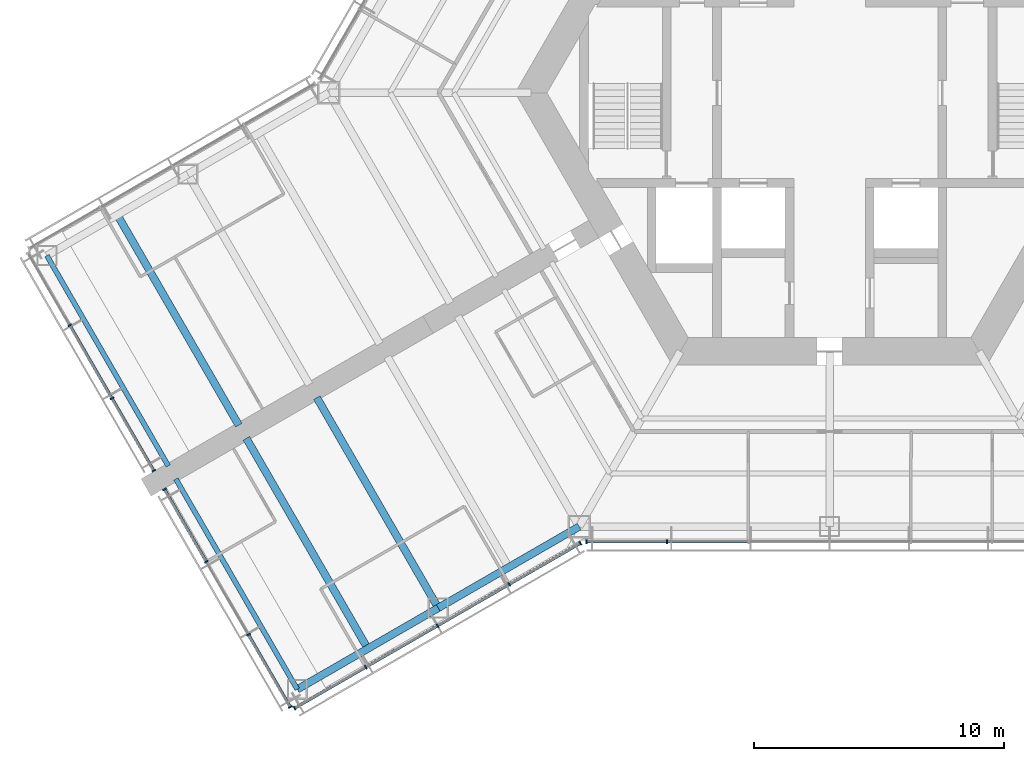
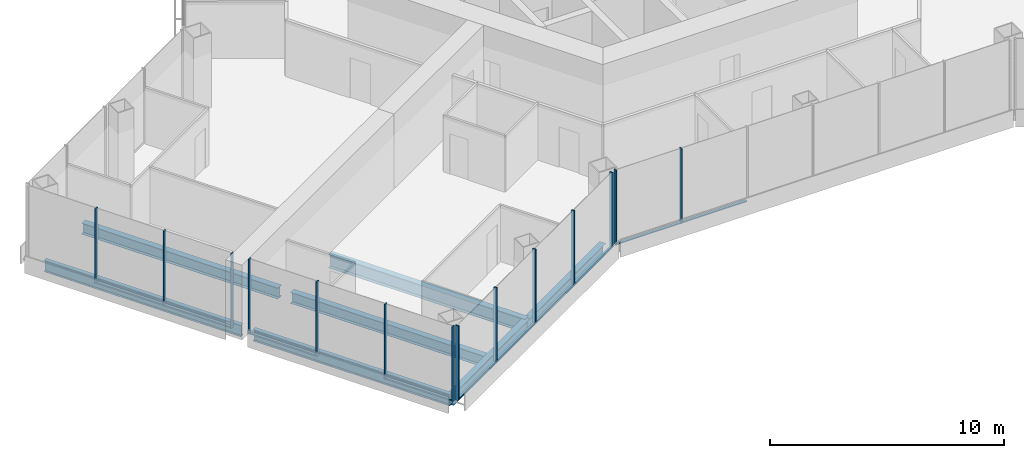
# One storey, part 2 of 18: 24 members, 7 beams, 4 elements without a shape of their own.
"""IFC4 building model written with IfcOpenShell, lengths in metres."""

from ifc_helpers import new_model, si_unit, direction, frame, origin, origin_2d, place, context, subcontext, project, spatial, rectangle, i_section, extrude, material, material_profile, profile_set, type_object, element, aggregate, save


model = new_model("IFC4")

# Units and contexts
model_context = context("Model", 3, precision=1e-05, world=origin(), true_north=direction((0.0, 1.0)))
body_context = subcontext(model_context, "Body", "Model", "MODEL_VIEW")
ifc_project = project(units=[si_unit("LENGTHUNIT", "METRE"), si_unit("AREAUNIT", "SQUARE_METRE"), si_unit("VOLUMEUNIT", "CUBIC_METRE"), si_unit("PLANEANGLEUNIT", "RADIAN"), si_unit("MASSUNIT", "GRAM", prefix="KILO")], contexts=[model_context])

# Site, building, storey
site_placement = place(None, origin())
site = spatial("IfcSite", under=ifc_project, at=site_placement, CompositionType="ELEMENT")
building_placement = place(site_placement, origin())
building = spatial("IfcBuilding", under=site, at=building_placement, Name="Kasaneha Research Tower", CompositionType="ELEMENT")
storey_placement = place(building_placement, frame((0.0, 0.0, 115.800048828125)))
storey = spatial("IfcBuildingStorey", under=building, at=storey_placement, Name="L29", CompositionType="ELEMENT", Elevation=115.800048828125)

# Beams
ifc_material_1 = material(Name="Steel SN490B", Category="steel")
ifc_material_profile_1 = material_profile(ifc_material_1, i_section(OverallWidth=0.300048828125, OverallDepth=0.58203125, WebThickness=0.011962890625, FlangeThickness=0.01708984375, FilletRadius=0.012939453125, at=origin_2d()), Name="H-582x300x12x17")
ifc_profile_set_1 = profile_set([ifc_material_profile_1], Name="Steel SN490B")
beam_type_1 = type_object("IfcBeamType", Name="B2-3 secondary beam H-582x300x12x17", PredefinedType="JOIST", material=ifc_profile_set_1)
for number, where, z_axis, x_axis, name in (
    (1, (-28.44384765625, -4.875, -0.441162109375), (0.500010041276, -0.866019606374, 0.0), (0.866019606374, 0.500010041276, 0.0), "Secondary beam WBBP2 L29"),
    (2, (-18.44384765625, -22.195556640625, -0.441162109375), (-0.499991164321, 0.866030505006, 0.0), (-0.866030505006, -0.499991164321, 0.0), "Secondary beam WBBN2 L29"),
):
    element("IfcBeam", number, at=place(storey_placement, frame(where, z_axis=z_axis, x_axis=x_axis)), inside=storey, type_object=beam_type_1, Name=name, PredefinedType="JOIST", context=body_context, shape_type="SweptSolid", body=[
        extrude(i_section(OverallWidth=0.300048828125, OverallDepth=0.58203125, WebThickness=0.011962890625, FlangeThickness=0.01708984375, FilletRadius=0.012939453125, at=origin_2d()), origin(), (0.0, 0.0, 1.0), 9.699951171875),
    ])

# Curtain wall, members
ifc_material_2 = material(Name="Glass and aluminium", Category="aluminium")
curtain_wall_type = type_object("IfcCurtainWallType", Name="Low-rise office curtain wall", PredefinedType="USERDEFINED", material=ifc_material_2)
curtain_wall_1_placement = place(storey_placement, origin())
curtain_wall_1 = element("IfcCurtainWall", 3, at=curtain_wall_1_placement, inside=storey, type_object=curtain_wall_type, Name="CW-O1 L29 run 01a", ObjectType="UNITISED CURTAIN WALL", PredefinedType="USERDEFINED")
ifc_material_3 = material(Name="Aluminium 6063-T6", Category="aluminium")
ifc_material_profile_2 = material_profile(ifc_material_3, rectangle(XDim=0.06005859375, YDim=0.159912109375, at=origin_2d()), Name="CW-O1 mullion 60x160")
ifc_profile_set_2 = profile_set([ifc_material_profile_2], Name="Aluminium 6063-T6")
member_type_1 = type_object("IfcMemberType", Name="CW-O1 mullion", PredefinedType="MULLION", material=ifc_profile_set_2)
member_1_placement = place(storey_placement, frame((-21.365478515625, -24.5751953125, 0.0), z_axis=(0.0, 0.0, 1.0), x_axis=(0.866025411464, 0.499999986699, 0.0)))
member_1 = element("IfcMember", 4, at=member_1_placement, type_object=member_type_1, Name="CW-O1 mullion 1", PredefinedType="MULLION", context=body_context, shape_type="SweptSolid", body=[
    extrude(rectangle(XDim=0.06005859375, YDim=0.159912109375, at=origin_2d()), origin(), (0.0, 0.0, 1.0), 3.89990234375),
])
member_2_placement = place(storey_placement, frame((-18.52490234375, -22.935302734375, 0.0), z_axis=(0.0, 0.0, 1.0), x_axis=(0.866025411464, 0.499999986699, 0.0)))
member_2 = element("IfcMember", 5, at=member_2_placement, type_object=member_type_1, Name="CW-O1 mullion 2", PredefinedType="MULLION", context=body_context, shape_type="SweptSolid", body=[
    extrude(rectangle(XDim=0.06005859375, YDim=0.159912109375, at=origin_2d()), origin(), (0.0, 0.0, 1.0), 3.89990234375),
])
member_3_placement = place(storey_placement, frame((-15.65869140625, -21.2802734375, 0.0), z_axis=(0.0, 0.0, 1.0), x_axis=(0.866025411464, 0.499999986699, 0.0)))
member_3 = element("IfcMember", 6, at=member_3_placement, type_object=member_type_1, Name="CW-O1 mullion 3", PredefinedType="MULLION", context=body_context, shape_type="SweptSolid", body=[
    extrude(rectangle(XDim=0.06005859375, YDim=0.159912109375, at=origin_2d()), origin(), (0.0, 0.0, 1.0), 3.89990234375),
])
member_4_placement = place(storey_placement, frame((-12.792236328125, -19.62548828125, 0.0), z_axis=(0.0, 0.0, 1.0), x_axis=(0.866025411464, 0.499999986699, 0.0)))
member_4 = element("IfcMember", 7, at=member_4_placement, type_object=member_type_1, Name="CW-O1 mullion 4", PredefinedType="MULLION", context=body_context, shape_type="SweptSolid", body=[
    extrude(rectangle(XDim=0.06005859375, YDim=0.159912109375, at=origin_2d()), origin(), (0.0, 0.0, 1.0), 3.89990234375),
])
member_5_placement = place(storey_placement, frame((-9.951904296875, -17.985595703125, 0.0), z_axis=(0.0, 0.0, 1.0), x_axis=(0.866025411464, 0.499999986699, 0.0)))
member_5 = element("IfcMember", 8, at=member_5_placement, type_object=member_type_1, Name="CW-O1 mullion 5", PredefinedType="MULLION", context=body_context, shape_type="SweptSolid", body=[
    extrude(rectangle(XDim=0.06005859375, YDim=0.159912109375, at=origin_2d()), origin(), (0.0, 0.0, 1.0), 3.89990234375),
])

curtain_wall_2_placement = place(storey_placement, origin())
curtain_wall_2 = element("IfcCurtainWall", 9, at=curtain_wall_2_placement, inside=storey, type_object=curtain_wall_type, Name="CW-O1 L29 run 02a", ObjectType="UNITISED CURTAIN WALL", PredefinedType="USERDEFINED")
member_6_placement = place(storey_placement, frame((-9.709228515625, -17.92041015625, 0.0), z_axis=(0.0, 0.0, 1.0), x_axis=(1.0, 0.0, 0.0)))
member_6 = element("IfcMember", 10, at=member_6_placement, type_object=member_type_1, Name="CW-O1 mullion 1", PredefinedType="MULLION", context=body_context, shape_type="SweptSolid", body=[
    extrude(rectangle(XDim=0.06005859375, YDim=0.159912109375, at=origin_2d()), origin(), (0.0, 0.0, 1.0), 3.89990234375),
])
member_7_placement = place(storey_placement, frame((-6.492919921875, -17.92041015625, 0.0), z_axis=(0.0, 0.0, 1.0), x_axis=(1.0, 0.0, 0.0)))
member_7 = element("IfcMember", 11, at=member_7_placement, type_object=member_type_1, Name="CW-O1 mullion 2", PredefinedType="MULLION", context=body_context, shape_type="SweptSolid", body=[
    extrude(rectangle(XDim=0.06005859375, YDim=0.159912109375, at=origin_2d()), origin(), (0.0, 0.0, 1.0), 3.89990234375),
])

curtain_wall_3_placement = place(storey_placement, origin())
curtain_wall_3 = element("IfcCurtainWall", 12, at=curtain_wall_3_placement, inside=storey, type_object=curtain_wall_type, Name="CW-O1 L29 run 14a", ObjectType="UNITISED CURTAIN WALL", PredefinedType="USERDEFINED")
member_8_placement = place(storey_placement, frame((-30.3447265625, -9.28271484375, 0.0), z_axis=(0.0, 0.0, 1.0), x_axis=(0.500000011442, -0.866025397178, 0.0)))
member_8 = element("IfcMember", 13, at=member_8_placement, type_object=member_type_1, Name="CW-O1 mullion 2", PredefinedType="MULLION", context=body_context, shape_type="SweptSolid", body=[
    extrude(rectangle(XDim=0.06005859375, YDim=0.159912109375, at=origin_2d()), origin(), (0.0, 0.0, 1.0), 3.89990234375),
])
member_9_placement = place(storey_placement, frame((-28.661376953125, -12.1982421875, 0.0), z_axis=(0.0, 0.0, 1.0), x_axis=(0.500000011442, -0.866025397178, 0.0)))
member_9 = element("IfcMember", 14, at=member_9_placement, type_object=member_type_1, Name="CW-O1 mullion 3", PredefinedType="MULLION", context=body_context, shape_type="SweptSolid", body=[
    extrude(rectangle(XDim=0.06005859375, YDim=0.159912109375, at=origin_2d()), origin(), (0.0, 0.0, 1.0), 3.89990234375),
])
member_10_placement = place(storey_placement, frame((-26.992919921875, -15.087890625, 0.0), z_axis=(0.0, 0.0, 1.0), x_axis=(0.500000011442, -0.866025397178, 0.0)))
member_10 = element("IfcMember", 15, at=member_10_placement, type_object=member_type_1, Name="CW-O1 mullion 4", PredefinedType="MULLION", context=body_context, shape_type="SweptSolid", body=[
    extrude(rectangle(XDim=0.06005859375, YDim=0.159912109375, at=origin_2d()), origin(), (0.0, 0.0, 1.0), 3.89990234375),
])

curtain_wall_4_placement = place(storey_placement, origin())
curtain_wall_4 = element("IfcCurtainWall", 16, at=curtain_wall_4_placement, inside=storey, type_object=curtain_wall_type, Name="CW-O1 L29 run 15a", ObjectType="UNITISED CURTAIN WALL", PredefinedType="USERDEFINED")
member_11_placement = place(storey_placement, frame((-26.56298828125, -15.832763671875, 0.0), z_axis=(0.0, 0.0, 1.0), x_axis=(0.500000011442, -0.866025397178, 0.0)))
member_11 = element("IfcMember", 17, at=member_11_placement, type_object=member_type_1, Name="CW-O1 mullion 1", PredefinedType="MULLION", context=body_context, shape_type="SweptSolid", body=[
    extrude(rectangle(XDim=0.06005859375, YDim=0.159912109375, at=origin_2d()), origin(), (0.0, 0.0, 1.0), 3.89990234375),
])
member_12_placement = place(storey_placement, frame((-24.89453125, -18.72216796875, 0.0), z_axis=(0.0, 0.0, 1.0), x_axis=(0.500000011442, -0.866025397178, 0.0)))
member_12 = element("IfcMember", 18, at=member_12_placement, type_object=member_type_1, Name="CW-O1 mullion 2", PredefinedType="MULLION", context=body_context, shape_type="SweptSolid", body=[
    extrude(rectangle(XDim=0.06005859375, YDim=0.159912109375, at=origin_2d()), origin(), (0.0, 0.0, 1.0), 3.89990234375),
])
member_13_placement = place(storey_placement, frame((-23.211181640625, -21.637939453125, 0.0), z_axis=(0.0, 0.0, 1.0), x_axis=(0.500000011442, -0.866025397178, 0.0)))
member_13 = element("IfcMember", 19, at=member_13_placement, type_object=member_type_1, Name="CW-O1 mullion 3", PredefinedType="MULLION", context=body_context, shape_type="SweptSolid", body=[
    extrude(rectangle(XDim=0.06005859375, YDim=0.159912109375, at=origin_2d()), origin(), (0.0, 0.0, 1.0), 3.89990234375),
])
member_14_placement = place(storey_placement, frame((-21.54296875, -24.527587890625, 0.0), z_axis=(0.0, 0.0, 1.0), x_axis=(0.500000011442, -0.866025397178, 0.0)))
member_14 = element("IfcMember", 20, at=member_14_placement, type_object=member_type_1, Name="CW-O1 mullion 4", PredefinedType="MULLION", context=body_context, shape_type="SweptSolid", body=[
    extrude(rectangle(XDim=0.06005859375, YDim=0.159912109375, at=origin_2d()), origin(), (0.0, 0.0, 1.0), 3.89990234375),
])

# Member
ifc_material_4 = material(Name="Aluminium 6063-T6", Category="aluminium")
ifc_material_profile_3 = material_profile(ifc_material_4, rectangle(XDim=0.1201171875, YDim=0.06005859375, at=origin_2d()), Name="CW-O1 transom 120x60")
ifc_profile_set_3 = profile_set([ifc_material_profile_3], Name="Aluminium 6063-T6")
member_type_2 = type_object("IfcMemberType", Name="CW-O1 transom", PredefinedType="USERDEFINED", material=ifc_profile_set_3)
member_15_placement = place(storey_placement, frame((-21.33935546875, -24.56005859375, 0.030029296875), z_axis=(0.866022692473, 0.500004696101, 0.0), x_axis=(-0.500004696101, 0.866022692473, 0.0)))
member_15 = element("IfcMember", 21, at=member_15_placement, type_object=member_type_2, Name="CW-O1 transom 1", ObjectType="TRANSOM", PredefinedType="USERDEFINED", context=body_context, shape_type="SweptSolid", body=[
    extrude(rectangle(XDim=0.1201171875, YDim=0.06005859375, at=origin_2d()), origin(), (0.0, 0.0, 1.0), 3.2197265625),
])

member_16_placement = place(storey_placement, frame((-18.4990234375, -22.920166015625, 0.030029296875), z_axis=(0.86604797581, 0.499960902066, 0.0), x_axis=(-0.499960902066, 0.86604797581, 0.0)))
member_16 = element("IfcMember", 22, at=member_16_placement, type_object=member_type_2, Name="CW-O1 transom 2", ObjectType="TRANSOM", PredefinedType="USERDEFINED", context=body_context, shape_type="SweptSolid", body=[
    extrude(rectangle(XDim=0.1201171875, YDim=0.06005859375, at=origin_2d()), origin(), (0.0, 0.0, 1.0), 3.249755859375),
])

member_17_placement = place(storey_placement, frame((-15.632568359375, -21.265380859375, 0.030029296875), z_axis=(0.866015446554, 0.500017246033, 0.0), x_axis=(-0.500017246033, 0.866015446554, 0.0)))
member_17 = element("IfcMember", 23, at=member_17_placement, type_object=member_type_2, Name="CW-O1 transom 3", ObjectType="TRANSOM", PredefinedType="USERDEFINED", context=body_context, shape_type="SweptSolid", body=[
    extrude(rectangle(XDim=0.1201171875, YDim=0.06005859375, at=origin_2d()), origin(), (0.0, 0.0, 1.0), 3.25),
])

member_18_placement = place(storey_placement, frame((-12.76611328125, -19.6103515625, 0.030029296875), z_axis=(0.866022692473, 0.500004696101, 0.0), x_axis=(-0.500004696101, 0.866022692473, 0.0)))
member_18 = element("IfcMember", 24, at=member_18_placement, type_object=member_type_2, Name="CW-O1 transom 4", ObjectType="TRANSOM", PredefinedType="USERDEFINED", context=body_context, shape_type="SweptSolid", body=[
    extrude(rectangle(XDim=0.1201171875, YDim=0.06005859375, at=origin_2d()), origin(), (0.0, 0.0, 1.0), 3.2197265625),
])

aggregate(curtain_wall_1, [member_1, member_2, member_3, member_4, member_5, member_15, member_16, member_17, member_18])

member_19_placement = place(storey_placement, frame((-9.67919921875, -17.92041015625, 0.030029296875), z_axis=(1.0, 0.0, 0.0), x_axis=(0.0, 1.0, 0.0)))
member_19 = element("IfcMember", 25, at=member_19_placement, type_object=member_type_2, Name="CW-O1 transom 1", ObjectType="TRANSOM", PredefinedType="USERDEFINED", context=body_context, shape_type="SweptSolid", body=[
    extrude(rectangle(XDim=0.1201171875, YDim=0.06005859375, at=origin_2d()), origin(), (0.0, 0.0, 1.0), 3.156494140625),
])

member_20_placement = place(storey_placement, frame((-6.462890625, -17.92041015625, 0.030029296875), z_axis=(1.0, 0.0, 0.0), x_axis=(0.0, 1.0, 0.0)))
member_20 = element("IfcMember", 26, at=member_20_placement, type_object=member_type_2, Name="CW-O1 transom 2", ObjectType="TRANSOM", PredefinedType="USERDEFINED", context=body_context, shape_type="SweptSolid", body=[
    extrude(rectangle(XDim=0.1201171875, YDim=0.06005859375, at=origin_2d()), origin(), (0.0, 0.0, 1.0), 3.1865234375),
])

aggregate(curtain_wall_2, [member_6, member_7, member_19, member_20])

member_21_placement = place(storey_placement, frame((-30.32958984375, -9.30859375, 0.030029296875), z_axis=(0.499982354831, -0.866035590988, 0.0), x_axis=(0.866035590988, 0.499982354831, 0.0)))
member_21 = element("IfcMember", 27, at=member_21_placement, type_object=member_type_2, Name="CW-O1 transom 2", ObjectType="TRANSOM", PredefinedType="USERDEFINED", context=body_context, shape_type="SweptSolid", body=[
    extrude(rectangle(XDim=0.1201171875, YDim=0.06005859375, at=origin_2d()), origin(), (0.0, 0.0, 1.0), 3.306640625),
])

member_22_placement = place(storey_placement, frame((-28.646240234375, -12.22412109375, 0.030029296875), z_axis=(0.499969700927, -0.866042896256, 0.0), x_axis=(0.866042896256, 0.499969700927, 0.0)))
member_22 = element("IfcMember", 28, at=member_22_placement, type_object=member_type_2, Name="CW-O1 transom 3", ObjectType="TRANSOM", PredefinedType="USERDEFINED", context=body_context, shape_type="SweptSolid", body=[
    extrude(rectangle(XDim=0.1201171875, YDim=0.06005859375, at=origin_2d()), origin(), (0.0, 0.0, 1.0), 3.276611328125),
])

aggregate(curtain_wall_3, [member_8, member_9, member_10, member_21, member_22])

member_23_placement = place(storey_placement, frame((-26.5478515625, -15.858642578125, 0.030029296875), z_axis=(0.499969700927, -0.866042896256, 0.0), x_axis=(0.866042896256, 0.499969700927, 0.0)))
member_23 = element("IfcMember", 29, at=member_23_placement, type_object=member_type_2, Name="CW-O1 transom 1", ObjectType="TRANSOM", PredefinedType="USERDEFINED", context=body_context, shape_type="SweptSolid", body=[
    extrude(rectangle(XDim=0.1201171875, YDim=0.06005859375, at=origin_2d()), origin(), (0.0, 0.0, 1.0), 3.276611328125),
])

member_24_placement = place(storey_placement, frame((-23.1962890625, -21.663818359375, 0.030029296875), z_axis=(0.500025583411, -0.866010632691, 0.0), x_axis=(0.866010632691, 0.500025583411, 0.0)))
member_24 = element("IfcMember", 30, at=member_24_placement, type_object=member_type_2, Name="CW-O1 transom 3", ObjectType="TRANSOM", PredefinedType="USERDEFINED", context=body_context, shape_type="SweptSolid", body=[
    extrude(rectangle(XDim=0.1201171875, YDim=0.06005859375, at=origin_2d()), origin(), (0.0, 0.0, 1.0), 3.276611328125),
])

aggregate(curtain_wall_4, [member_11, member_12, member_13, member_14, member_23, member_24])

# Beams
ifc_material_5 = material(Name="Steel SN490B", Category="steel")
ifc_material_profile_4 = material_profile(ifc_material_5, i_section(OverallWidth=0.300048828125, OverallDepth=0.699951171875, WebThickness=0.012939453125, FlangeThickness=0.02392578125, FilletRadius=0.01806640625, at=origin_2d()), Name="H-700x300x13x24")
ifc_profile_set_4 = profile_set([ifc_material_profile_4], Name="Steel SN490B")
beam_type_2 = type_object("IfcBeamType", Name="G4-3 wing girder H-700x300x13x24", PredefinedType="BEAM", material=ifc_profile_set_4)
beam_placement = place(storey_placement, frame((-15.629150390625, -20.570556640625, -0.5), z_axis=(-0.500010041276, 0.866019606374, 0.0), x_axis=(-0.866019606374, -0.500010041276, 0.0)))
element("IfcBeam", 31, at=beam_placement, inside=storey, type_object=beam_type_2, Name="Wing girder WGBN L29", PredefinedType="BEAM", context=body_context, shape_type="SweptSolid", body=[
    extrude(i_section(OverallWidth=0.300048828125, OverallDepth=0.699951171875, WebThickness=0.012939453125, FlangeThickness=0.02392578125, FilletRadius=0.01806640625, at=origin_2d()), origin(), (0.0, 0.0, 1.0), 9.699951171875),
])
ifc_material_6 = material(Name="Steel SN490B", Category="steel")
ifc_material_profile_5 = material_profile(ifc_material_6, i_section(OverallWidth=0.300048828125, OverallDepth=0.58203125, WebThickness=0.011962890625, FlangeThickness=0.01708984375, FilletRadius=0.012939453125, at=origin_2d()), Name="H-582x300x12x17")
ifc_profile_set_5 = profile_set([ifc_material_profile_5], Name="Steel SN490B")
beam_type_3 = type_object("IfcBeamType", Name="SB2-3 spandrel beam H-582x300x12x17", PredefinedType="SPANDREL", material=ifc_profile_set_5)
for number, where, z_axis, x_axis, name in (
    (32, (-10.0, -17.320556640625, -0.441162109375), (-0.866024837091, -0.50000098154, 0.0), (0.50000098154, -0.866024837091, 0.0), "Spandrel beam WSBN1 L29"),
    (33, (-15.629150390625, -20.570556640625, -0.441162109375), (-0.866024837091, -0.50000098154, 0.0), (0.50000098154, -0.866024837091, 0.0), "Spandrel beam WSBN2 L29"),
):
    element("IfcBeam", number, at=place(storey_placement, frame(where, z_axis=z_axis, x_axis=x_axis)), inside=storey, type_object=beam_type_3, Name=name, PredefinedType="SPANDREL", context=body_context, shape_type="SweptSolid", body=[
        extrude(i_section(OverallWidth=0.300048828125, OverallDepth=0.58203125, WebThickness=0.011962890625, FlangeThickness=0.01708984375, FilletRadius=0.012939453125, at=origin_2d()), origin(), (0.0, 0.0, 1.0), 6.5),
    ])
ifc_material_7 = material(Name="Steel SN490B", Category="steel")
ifc_material_profile_6 = material_profile(ifc_material_7, i_section(OverallWidth=0.199951171875, OverallDepth=0.60009765625, WebThickness=0.010986328125, FlangeThickness=0.01708984375, FilletRadius=0.012939453125, at=origin_2d()), Name="H-600x200x11x17")
ifc_profile_set_6 = profile_set([ifc_material_profile_6], Name="Steel SN490B")
beam_type_4 = type_object("IfcBeamType", Name="SB3-3 spandrel beam H-600x200x11x17", PredefinedType="SPANDREL", material=ifc_profile_set_6)
for number, where, z_axis, x_axis, name in (
    (34, (-31.25830078125, -6.5, -0.449951171875), (0.499991164321, -0.866030505006, 0.0), (0.866030505006, 0.499991164321, 0.0), "Spandrel beam WTBP L29"),
    (35, (-21.25830078125, -23.820556640625, -0.449951171875), (-0.500010041276, 0.866019606374, 0.0), (-0.866019606374, -0.500010041276, 0.0), "Spandrel beam WTBN L29"),
):
    element("IfcBeam", number, at=place(storey_placement, frame(where, z_axis=z_axis, x_axis=x_axis)), inside=storey, type_object=beam_type_4, Name=name, PredefinedType="SPANDREL", context=body_context, shape_type="SweptSolid", body=[
        extrude(i_section(OverallWidth=0.199951171875, OverallDepth=0.60009765625, WebThickness=0.010986328125, FlangeThickness=0.01708984375, FilletRadius=0.012939453125, at=origin_2d()), origin(), (0.0, 0.0, 1.0), 9.699951171875),
    ])

save(model, "model.ifc")
